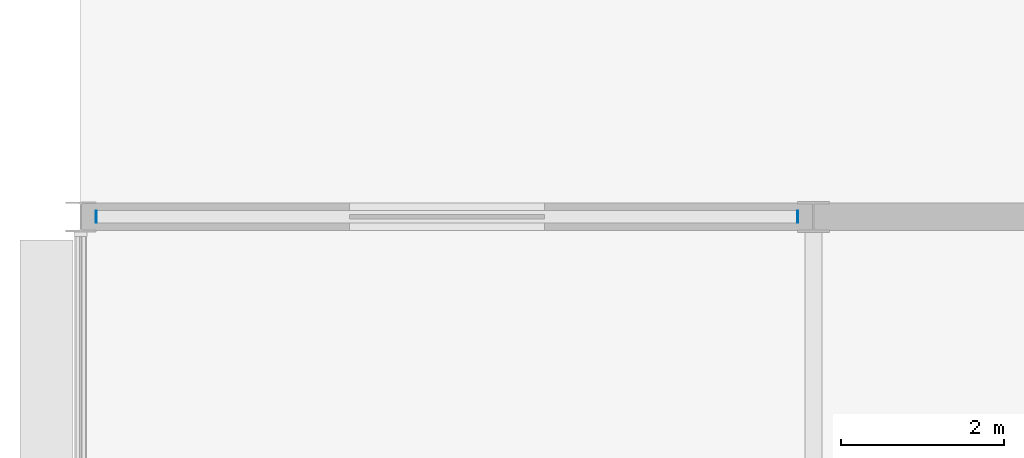
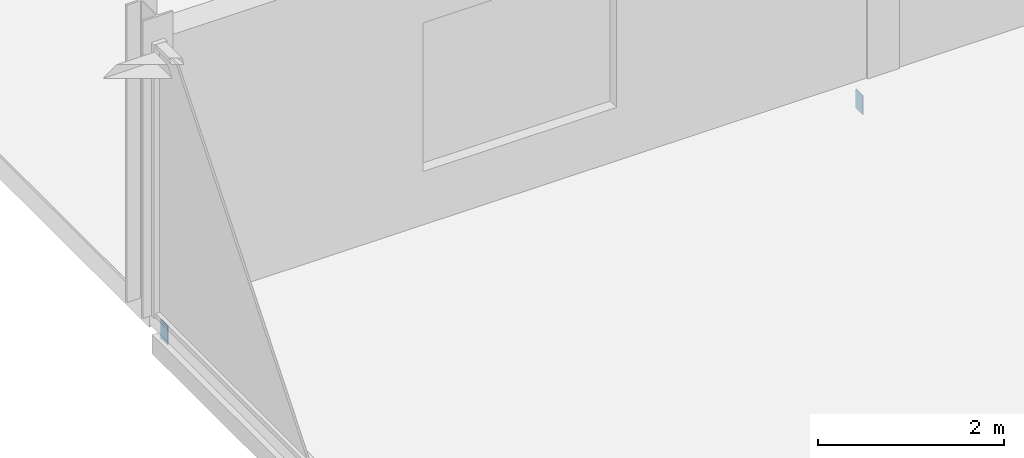
# One storey, part 79 of 105: 2 discrete accessories.
"""IFC4 building model written with IfcOpenShell, lengths in metres."""

from ifc_helpers import new_model, si_unit, direction, frame, origin, place, context, subcontext, project, spatial, polyline, outline, extrude, material, layer, layer_set, type_object, element, save


model = new_model("IFC4")

# Units and contexts
model_context = context("Model", 3, precision=1e-05, world=origin(), true_north=direction((0.0, 1.0)))
body_context = subcontext(model_context, "Body", "Model", "MODEL_VIEW")
ifc_project = project(units=[si_unit("LENGTHUNIT", "METRE"), si_unit("AREAUNIT", "SQUARE_METRE"), si_unit("VOLUMEUNIT", "CUBIC_METRE"), si_unit("PLANEANGLEUNIT", "RADIAN"), si_unit("MASSUNIT", "GRAM", prefix="KILO")], contexts=[model_context])

# Site, building, storey
site_placement = place(None, origin())
site = spatial("IfcSite", under=ifc_project, at=site_placement, CompositionType="ELEMENT")
building_placement = place(site_placement, origin())
building = spatial("IfcBuilding", under=site, at=building_placement, Name="Kisiwana Market Hall", CompositionType="ELEMENT")
storey_placement = place(building_placement, frame((0.0, 0.0, 21.60009765625)))
storey = spatial("IfcBuildingStorey", under=building, at=storey_placement, Name="L04", CompositionType="ELEMENT", Elevation=21.60009765625)

# Discrete accessories
ifc_material = material(Name="Steel S355", Category="steel")
ifc_layer = layer(ifc_material, 0.011962890625)
ifc_layer_set = layer_set([ifc_layer], Name="ACC-ENDCAP-STL")
discrete_accessory_type = type_object("IfcDiscreteAccessoryType", Name="ACC-ENDCAP-STL", PredefinedType="USERDEFINED", material=ifc_layer_set)
discrete_accessory_1_placement = place(storey_placement, frame((0.0, 0.0, -0.5419921875)))
element("IfcDiscreteAccessory", 1, at=discrete_accessory_1_placement, inside=storey, type_object=discrete_accessory_type, Name="End cap plate EC-0058", ObjectType="End cap plate", PredefinedType="USERDEFINED", context=body_context, shape_type="SweptSolid", body=[
    extrude(outline(polyline([(8.804443359375, 110.925048828125), (8.81640625, 110.925048828125), (8.81640625, 111.074951171875), (8.804443359375, 111.074951171875), (8.804443359375, 110.925048828125)])), origin(), (0.0, 0.0, 1.0), 0.25),
])
discrete_accessory_2_placement = place(storey_placement, frame((0.0, 0.0, -0.5419921875)))
element("IfcDiscreteAccessory", 2, at=discrete_accessory_2_placement, inside=storey, type_object=discrete_accessory_type, Name="End cap plate EC-0059", ObjectType="End cap plate", PredefinedType="USERDEFINED", context=body_context, shape_type="SweptSolid", body=[
    extrude(outline(polyline([(0.195556640625, 110.925048828125), (0.195556640625, 111.074951171875), (0.18359375, 111.074951171875), (0.18359375, 110.925048828125), (0.195556640625, 110.925048828125)])), origin(), (0.0, 0.0, 1.0), 0.25),
])

save(model, "model.ifc")
